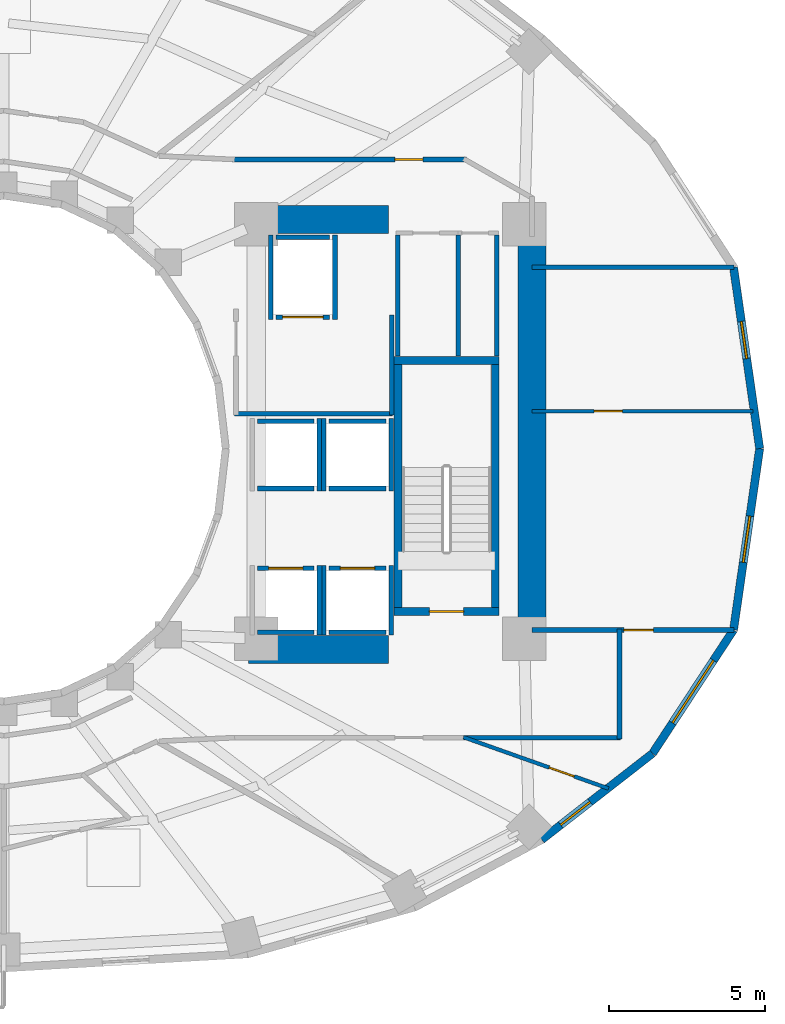
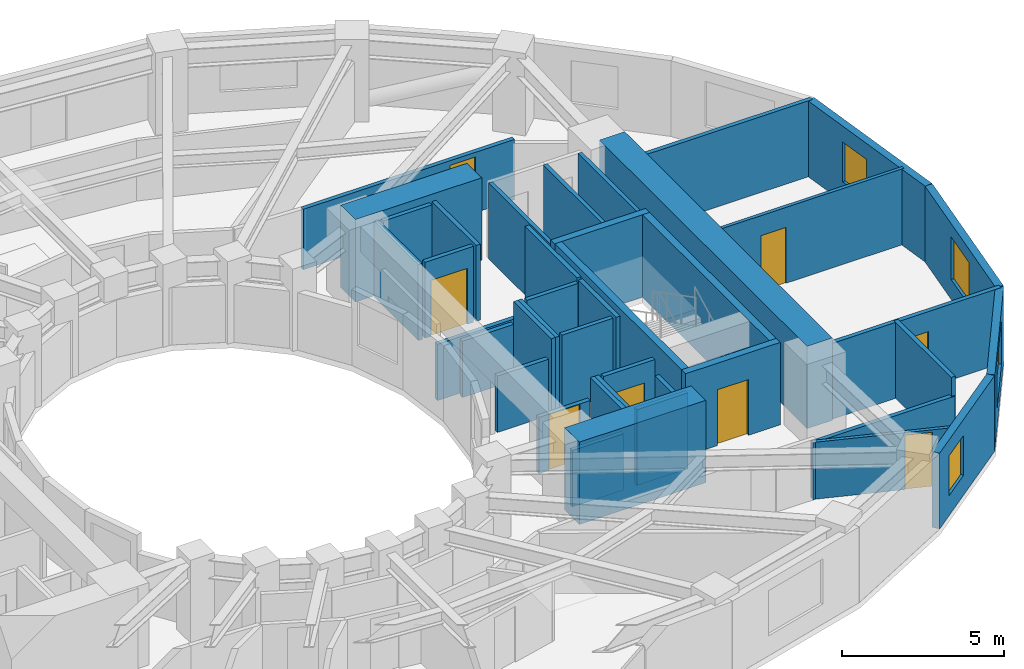
# One storey, part 6 of 9: 41 walls, 8 doors, 4 windows, 12 openings.
"""IFC4 building model written with IfcOpenShell, lengths in metres."""

from ifc_helpers import new_model, si_unit, direction, frame, frame_2d, origin, place, context, subcontext, project, spatial, rectangle, extrude, material, layer, layer_set, type_object, element, fill, save


model = new_model("IFC4")

# Units and contexts
model_context = context("Model", 3, precision=1e-05, world=origin(), true_north=direction((0.0, 1.0)))
body_context = subcontext(model_context, "Body", "Model", "MODEL_VIEW")
ifc_project = project(units=[si_unit("LENGTHUNIT", "METRE"), si_unit("AREAUNIT", "SQUARE_METRE"), si_unit("VOLUMEUNIT", "CUBIC_METRE"), si_unit("PLANEANGLEUNIT", "RADIAN"), si_unit("MASSUNIT", "GRAM", prefix="KILO")], contexts=[model_context])

# Site, building, storey
site_placement = place(None, origin())
site = spatial("IfcSite", under=ifc_project, at=site_placement, CompositionType="ELEMENT")
building_placement = place(site_placement, origin())
building = spatial("IfcBuilding", under=site, at=building_placement, Name="Solvane Sanctuary Tower", CompositionType="ELEMENT")
storey_placement = place(building_placement, frame((0.0, 0.0, 79.39990234375)))
storey = spatial("IfcBuildingStorey", under=building, at=storey_placement, Name="L23", CompositionType="ELEMENT", Elevation=79.39990234375)

# Walls
ifc_material_1 = material(Name="Concrete C70/85", Category="concrete")
ifc_layer_1 = layer(ifc_material_1, 0.89990234375, Name="Concrete C70/85")
ifc_layer_set_1 = layer_set([ifc_layer_1], Name="Concrete C70/85")
wall_type_1 = type_object("IfcWallType", Name="Wall W-CORE-900", PredefinedType="SHEAR", material=ifc_layer_set_1)
wall_1_placement = place(storey_placement, frame((48.949951171875, 17.050048828125, 0.0), z_axis=(0.0, 0.0, 1.0), x_axis=(0.0, 1.0, 0.0)))
element("IfcWall", 1, at=wall_1_placement, inside=storey, type_object=wall_type_1, Name="L23 Core Shear Wall EC-E", PredefinedType="SHEAR", context=body_context, shape_type="SweptSolid", body=[
    extrude(rectangle(XDim=12.800048828125, YDim=0.89990234375, at=frame_2d((6.39990234375, 0.0))), origin(), (0.0, 0.0, 1.0), 3.10009765625),
])
for number, where, z_axis, x_axis, name in (
    (2, (39.85009765625, 16.550048828125, 0.0), (0.0, 0.0, 1.0), (1.0, 0.0, 0.0), "L23 Core Shear Wall EC-S"),
    (3, (39.85009765625, 30.35009765625, 0.0), (0.0, 0.0, 1.0), (1.0, 0.0, 0.0), "L23 Core Shear Wall EC-N"),
):
    element("IfcWall", number, at=place(storey_placement, frame(where, z_axis=z_axis, x_axis=x_axis)), inside=storey, type_object=wall_type_1, Name=name, PredefinedType="SHEAR", context=body_context, shape_type="SweptSolid", body=[
        extrude(rectangle(XDim=4.5, YDim=0.89990234375, at=frame_2d((2.25, 0.0))), origin(), (0.0, 0.0, 1.0), 3.10009765625),
    ])
ifc_material_2 = material(Name="Acoustic Gypsum Partition Board")
ifc_layer_2 = layer(ifc_material_2, 0.14990234375, Name="Acoustic Gypsum Partition Board")
ifc_layer_set_2 = layer_set([ifc_layer_2], Name="Acoustic Gypsum Partition Board")
wall_type_2 = type_object("IfcWallType", Name="Wall W-CORR-150", PredefinedType="PARTITIONING", material=ifc_layer_set_2)
wall_2_placement = place(storey_placement, frame((39.39990234375, 24.1201171875, 0.0), z_axis=(0.0, 0.0, 1.0), x_axis=(1.0, 0.0, 0.0)))
element("IfcWall", 4, at=wall_2_placement, inside=storey, type_object=wall_type_2, Name="L23 East Firefighting Lobby South Wall", PredefinedType="PARTITIONING", context=body_context, shape_type="SweptSolid", body=[
    extrude(rectangle(XDim=5.080078125, YDim=0.14990234375, at=frame_2d((2.5400390625, 0.0))), origin(), (0.0, 0.0, 1.0), 2.1201171875),
])
wall_3_placement = place(storey_placement, frame((44.449951171875, 24.080078125, 0.0), z_axis=(0.0, 0.0, 1.0), x_axis=(0.0, 1.0, 0.0)))
element("IfcWall", 5, at=wall_3_placement, inside=storey, type_object=wall_type_2, Name="L23 East Firefighting Lobby East Wall", PredefinedType="PARTITIONING", context=body_context, shape_type="SweptSolid", body=[
    extrude(rectangle(XDim=3.199951171875, YDim=0.14990234375, at=frame_2d((1.60009765625, 0.0))), origin(), (0.0, 0.0, 1.0), 2.85498046875),
])

# Wall, opening, door
wall_4_placement = place(storey_placement, frame((48.949951171875, 17.1748046875, 0.0), z_axis=(0.0, 0.0, 1.0), x_axis=(1.0, 0.0, 0.0)))
wall_4 = element("IfcWall", 6, at=wall_4_placement, inside=storey, type_object=wall_type_2, Name="L23 East Shoulder South Wall", PredefinedType="PARTITIONING", context=body_context, shape_type="SweptSolid", body=[
    extrude(rectangle(XDim=6.49169921875, YDim=0.14990234375, at=frame_2d((3.245849609375, 0.0))), origin(), (0.0, 0.0, 1.0), 2.85498046875),
])
opening_1_placement = place(wall_4_placement, frame((2.947509765625, 0.0, 0.0)))
opening_1 = element("IfcOpeningElement", 7, at=opening_1_placement, cuts=wall_4, Name="Opening D-L23-12", PredefinedType="OPENING", context=body_context, shape_type="SweptSolid", body=[
    extrude(rectangle(XDim=0.949951171875, YDim=2.10009765625, at=frame_2d((0.47509765625, 1.050048828125))), frame((0.0, 0.0849609375, 0.0), z_axis=(0.0, -1.0, 0.0), x_axis=(1.0, 0.0, 0.0)), (0.0, 0.0, 1.0), 0.169921875),
])
ifc_material_3 = material(Name="Engineered Tropical Hardwood", Category="wood")
door_type_1 = type_object("IfcDoorType", Name="Door D-ROOM-950", OperationType="NOTDEFINED", PredefinedType="DOOR", material=ifc_material_3)
door_1_placement = place(opening_1_placement, origin())
door_1 = element("IfcDoor", 8, at=door_1_placement, inside=storey, type_object=door_type_1, Name="L23 East Shoulder South Door", OperationType="SINGLE_SWING_RIGHT", OverallHeight=2.10009765625, OverallWidth=0.949951171875, PredefinedType="DOOR", context=body_context, shape_type="SweptSolid", body=[
    extrude(rectangle(XDim=0.949951171875, YDim=2.10009765625, at=frame_2d((0.47509765625, 1.050048828125))), frame((0.0, 0.02490234375, 0.0), z_axis=(0.0, -1.0, 0.0), x_axis=(1.0, 0.0, 0.0)), (0.0, 0.0, 1.0), 0.050048828125),
])
fill(opening_1, door_1)

# Wall
wall_5_placement = place(storey_placement, frame((48.949951171875, 28.8251953125, 0.0), z_axis=(0.0, 0.0, 1.0), x_axis=(1.0, 0.0, 0.0)))
element("IfcWall", 9, at=wall_5_placement, inside=storey, type_object=wall_type_2, Name="L23 East Shoulder North Wall", PredefinedType="PARTITIONING", context=body_context, shape_type="SweptSolid", body=[
    extrude(rectangle(XDim=6.49169921875, YDim=0.14990234375, at=frame_2d((3.245849609375, 0.0))), origin(), (0.0, 0.0, 1.0), 2.85498046875),
])

# Wall, opening, door
wall_6_placement = place(storey_placement, frame((39.330078125, 32.280029296875, 0.0), z_axis=(0.0, 0.0, 1.0), x_axis=(1.0, 0.0, 0.0)))
wall_6 = element("IfcWall", 10, at=wall_6_placement, inside=storey, type_object=wall_type_2, Name="L23 NE Corner Corridor Wall", PredefinedType="PARTITIONING", context=body_context, shape_type="SweptSolid", body=[
    extrude(rectangle(XDim=7.52001953125, YDim=0.14990234375, at=frame_2d((3.760009765625, 0.0))), origin(), (0.0, 0.0, 1.0), 2.272216796875),
])
opening_2_placement = place(wall_6_placement, frame((5.219970703125, 0.0, 0.0)))
opening_2 = element("IfcOpeningElement", 11, at=opening_2_placement, cuts=wall_6, Name="Opening D-L23-15", PredefinedType="OPENING", context=body_context, shape_type="SweptSolid", body=[
    extrude(rectangle(XDim=0.89990234375, YDim=2.10009765625, at=frame_2d((0.449951171875, 1.050048828125))), frame((0.0, 0.0849609375, 0.0), z_axis=(0.0, -1.0, 0.0), x_axis=(1.0, 0.0, 0.0)), (0.0, 0.0, 1.0), 0.169921875),
])
door_type_2 = type_object("IfcDoorType", Name="Door D-WET-900", OperationType="NOTDEFINED", PredefinedType="DOOR", material=ifc_material_3)
door_2_placement = place(opening_2_placement, origin())
door_2 = element("IfcDoor", 12, at=door_2_placement, inside=storey, type_object=door_type_2, Name="L23 NE Corner Salon Door", OperationType="SINGLE_SWING_LEFT", OverallHeight=2.10009765625, OverallWidth=0.89990234375, PredefinedType="DOOR", context=body_context, shape_type="SweptSolid", body=[
    extrude(rectangle(XDim=0.89990234375, YDim=2.10009765625, at=frame_2d((0.449951171875, 1.050048828125))), frame((0.0, 0.02490234375, 0.0), z_axis=(0.0, -1.0, 0.0), x_axis=(1.0, 0.0, 0.0)), (0.0, 0.0, 1.0), 0.050048828125),
])
fill(opening_2, door_2)

# Walls
wall_7_placement = place(storey_placement, frame((51.760009765625, 13.679931640625, 0.0), z_axis=(0.0, 0.0, 1.0), x_axis=(0.0, 1.0, 0.0)))
element("IfcWall", 13, at=wall_7_placement, inside=storey, type_object=wall_type_2, Name="L23 SE Corner Closer 1", PredefinedType="PARTITIONING", context=body_context, shape_type="SweptSolid", body=[
    extrude(rectangle(XDim=3.534912109375, YDim=0.14990234375, at=frame_2d((1.767578125, 0.0))), origin(), (0.0, 0.0, 1.0), 2.85498046875),
])
wall_8_placement = place(storey_placement, frame((46.75, 13.719970703125, 0.0), z_axis=(0.0, 0.0, 1.0), x_axis=(1.0, 0.0, 0.0)))
element("IfcWall", 14, at=wall_8_placement, inside=storey, type_object=wall_type_2, Name="L23 SE Corner Wing Wall", PredefinedType="PARTITIONING", context=body_context, shape_type="SweptSolid", body=[
    extrude(rectangle(XDim=5.050048828125, YDim=0.14990234375, at=frame_2d((2.52490234375, 0.0))), origin(), (0.0, 0.0, 1.0), 2.14208984375),
])

# Wall, opening, window
ifc_material_4 = material(Name="Precast concrete C40/50", Category="concrete")
ifc_layer_3 = layer(ifc_material_4, 0.260009765625, Name="Precast concrete C40/50")
ifc_layer_set_3 = layer_set([ifc_layer_3], Name="Precast concrete C40/50")
wall_type_3 = type_object("IfcWallType", Name="Wall W-EXT-250", PredefinedType="STANDARD", material=ifc_layer_set_3)
wall_9_placement = place(storey_placement, frame((56.260009765625, 23.0, 0.0), z_axis=(0.0, 0.0, 1.0), x_axis=(-0.142572472068, 0.98978436551, 0.0)))
wall_9 = element("IfcWall", 15, at=wall_9_placement, inside=storey, type_object=wall_type_3, Name="L23 Ceramic-Printed Facade Wall 00", PredefinedType="STANDARD", context=body_context, shape_type="SweptSolid", body=[
    extrude(rectangle(XDim=5.878662109375, YDim=0.260009765625, at=frame_2d((2.939453125, 0.0))), origin(), (0.0, 0.0, 1.0), 2.85009765625),
])
opening_3_placement = place(wall_9_placement, frame((2.920654296875, 0.0, 0.75)))
opening_3 = element("IfcOpeningElement", 16, at=opening_3_placement, cuts=wall_9, Name="Opening WN-OPER-1200", PredefinedType="OPENING", context=body_context, shape_type="SweptSolid", body=[
    extrude(rectangle(XDim=1.199951171875, YDim=1.5, at=frame_2d((0.60009765625, 0.75))), frame((0.0, 0.139892578125, 0.0), z_axis=(0.0, -1.0, 0.0), x_axis=(1.0, 0.0, 0.0)), (0.0, 0.0, 1.0), 0.280029296875),
])
ifc_material_5 = material(Name="Dark Ceramic-Fritted Low-E Glass", Category="glass")
window_type_1 = type_object("IfcWindowType", Name="Window WN-OPER-1200", PartitioningType="SINGLE_PANEL", PredefinedType="WINDOW", material=ifc_material_5)
window_1_placement = place(opening_3_placement, origin())
window_1 = element("IfcWindow", 17, at=window_1_placement, inside=storey, type_object=window_type_1, Name="L23 Operable Facade Window 00", OverallHeight=1.5, OverallWidth=1.199951171875, PartitioningType="SINGLE_PANEL", PredefinedType="WINDOW", context=body_context, shape_type="SweptSolid", body=[
    extrude(rectangle(XDim=1.199951171875, YDim=1.5, at=frame_2d((0.60009765625, 0.75))), frame((0.0, 0.030029296875, 0.0), z_axis=(0.0, -1.0, 0.0), x_axis=(1.0, 0.0, 0.0)), (0.0, 0.0, 1.0), 0.06005859375),
])
fill(opening_3, window_1)

wall_10_placement = place(storey_placement, frame((49.265869140625, 10.44677734375, 0.0), z_axis=(0.0, 0.0, 1.0), x_axis=(0.789127449954, 0.614229491094, 0.0)))
wall_10 = element("IfcWall", 18, at=wall_10_placement, inside=storey, type_object=wall_type_3, Name="L23 Ceramic-Printed Facade Wall 21", PredefinedType="STANDARD", context=body_context, shape_type="SweptSolid", body=[
    extrude(rectangle(XDim=4.504638671875, YDim=0.260009765625, at=frame_2d((2.25244140625, 0.0))), origin(), (0.0, 0.0, 1.0), 2.85009765625),
])
opening_4_placement = place(wall_10_placement, frame((0.767822265625, 0.0, 0.75)))
opening_4 = element("IfcOpeningElement", 19, at=opening_4_placement, cuts=wall_10, Name="Opening WN-OPER-1200", PredefinedType="OPENING", context=body_context, shape_type="SweptSolid", body=[
    extrude(rectangle(XDim=1.199951171875, YDim=1.5, at=frame_2d((0.60009765625, 0.75))), frame((0.0, 0.139892578125, 0.0), z_axis=(0.0, -1.0, 0.0), x_axis=(1.0, 0.0, 0.0)), (0.0, 0.0, 1.0), 0.280029296875),
])
window_2_placement = place(opening_4_placement, origin())
window_2 = element("IfcWindow", 20, at=window_2_placement, inside=storey, type_object=window_type_1, Name="L23 Operable Facade Window 21", OverallHeight=1.5, OverallWidth=1.199951171875, PartitioningType="SINGLE_PANEL", PredefinedType="WINDOW", context=body_context, shape_type="SweptSolid", body=[
    extrude(rectangle(XDim=1.199951171875, YDim=1.5, at=frame_2d((0.60009765625, 0.75))), frame((0.0, 0.030029296875, 0.0), z_axis=(0.0, -1.0, 0.0), x_axis=(1.0, 0.0, 0.0)), (0.0, 0.0, 1.0), 0.06005859375),
])
fill(opening_4, window_2)

wall_11_placement = place(storey_placement, frame((52.820556640625, 13.213623046875, 0.0), z_axis=(0.0, 0.0, 1.0), x_axis=(0.548283220945, 0.836292717672, 0.0)))
wall_11 = element("IfcWall", 21, at=wall_11_placement, inside=storey, type_object=wall_type_3, Name="L23 Ceramic-Printed Facade Wall 22", PredefinedType="STANDARD", context=body_context, shape_type="SweptSolid", body=[
    extrude(rectangle(XDim=4.744384765625, YDim=0.260009765625, at=frame_2d((2.3720703125, 0.0))), origin(), (0.0, 0.0, 1.0), 2.85009765625),
])
opening_5_placement = place(wall_11_placement, frame((1.172119140625, 0.0, 0.75)))
opening_5 = element("IfcOpeningElement", 22, at=opening_5_placement, cuts=wall_11, Name="Opening WN-RIB-2400", PredefinedType="OPENING", context=body_context, shape_type="SweptSolid", body=[
    extrude(rectangle(XDim=2.39990234375, YDim=1.699951171875, at=frame_2d((1.199951171875, 0.85009765625))), frame((0.0, 0.139892578125, 0.0), z_axis=(0.0, -1.0, 0.0), x_axis=(1.0, 0.0, 0.0)), (0.0, 0.0, 1.0), 0.280029296875),
])
window_type_2 = type_object("IfcWindowType", Name="Window WN-RIB-2400", PartitioningType="SINGLE_PANEL", PredefinedType="WINDOW", material=ifc_material_5)
window_3_placement = place(opening_5_placement, origin())
window_3 = element("IfcWindow", 23, at=window_3_placement, inside=storey, type_object=window_type_2, Name="L23 Operable Facade Window 22", OverallHeight=1.699951171875, OverallWidth=2.39990234375, PartitioningType="SINGLE_PANEL", PredefinedType="WINDOW", context=body_context, shape_type="SweptSolid", body=[
    extrude(rectangle(XDim=2.39990234375, YDim=1.699951171875, at=frame_2d((1.199951171875, 0.85009765625))), frame((0.0, 0.030029296875, 0.0), z_axis=(0.0, -1.0, 0.0), x_axis=(1.0, 0.0, 0.0)), (0.0, 0.0, 1.0), 0.06005859375),
])
fill(opening_5, window_3)

wall_12_placement = place(storey_placement, frame((55.421875, 17.181396484375, 0.0), z_axis=(0.0, 0.0, 1.0), x_axis=(0.142572472068, 0.98978436551, 0.0)))
wall_12 = element("IfcWall", 24, at=wall_12_placement, inside=storey, type_object=wall_type_3, Name="L23 Ceramic-Printed Facade Wall 23", PredefinedType="STANDARD", context=body_context, shape_type="SweptSolid", body=[
    extrude(rectangle(XDim=5.878662109375, YDim=0.260009765625, at=frame_2d((2.939453125, 0.0))), origin(), (0.0, 0.0, 1.0), 2.85009765625),
])
opening_6_placement = place(wall_12_placement, frame((2.189453125, 0.0, 0.75)))
opening_6 = element("IfcOpeningElement", 25, at=opening_6_placement, cuts=wall_12, Name="Opening WN-OPER-1500", PredefinedType="OPENING", context=body_context, shape_type="SweptSolid", body=[
    extrude(rectangle(XDim=1.5, YDim=1.60009765625, at=frame_2d((0.75, 0.800048828125))), frame((0.0, 0.139892578125, 0.0), z_axis=(0.0, -1.0, 0.0), x_axis=(1.0, 0.0, 0.0)), (0.0, 0.0, 1.0), 0.280029296875),
])
window_type_3 = type_object("IfcWindowType", Name="Window WN-OPER-1500", PartitioningType="SINGLE_PANEL", PredefinedType="WINDOW", material=ifc_material_5)
window_4_placement = place(opening_6_placement, origin())
window_4 = element("IfcWindow", 26, at=window_4_placement, inside=storey, type_object=window_type_3, Name="L23 Operable Facade Window 23", OverallHeight=1.60009765625, OverallWidth=1.5, PartitioningType="SINGLE_PANEL", PredefinedType="WINDOW", context=body_context, shape_type="SweptSolid", body=[
    extrude(rectangle(XDim=1.5, YDim=1.60009765625, at=frame_2d((0.75, 0.800048828125))), frame((0.0, 0.030029296875, 0.0), z_axis=(0.0, -1.0, 0.0), x_axis=(1.0, 0.0, 0.0)), (0.0, 0.0, 1.0), 0.06005859375),
])
fill(opening_6, window_4)

# Wall, opening, door
ifc_layer_4 = layer(ifc_material_2, 0.1201171875, Name="Acoustic Gypsum Partition Board")
ifc_layer_set_4 = layer_set([ifc_layer_4], Name="Acoustic Gypsum Partition Board")
wall_type_4 = type_object("IfcWallType", Name="Wall W-MOV-100", PredefinedType="MOVABLE", material=ifc_layer_set_4)
wall_13_placement = place(storey_placement, frame((48.949951171875, 24.199951171875, 0.0), z_axis=(0.0, 0.0, 1.0), x_axis=(1.0, 0.0, 0.0)))
wall_13 = element("IfcWall", 27, at=wall_13_placement, inside=storey, type_object=wall_type_4, Name="L23 East Suite Partition", PredefinedType="MOVABLE", context=body_context, shape_type="SweptSolid", body=[
    extrude(rectangle(XDim=7.097412109375, YDim=0.1201171875, at=frame_2d((3.548828125, 0.0))), origin(), (0.0, 0.0, 1.0), 2.85498046875),
])
opening_7_placement = place(wall_13_placement, frame((2.0, 0.0, 0.0)))
opening_7 = element("IfcOpeningElement", 28, at=opening_7_placement, cuts=wall_13, Name="Opening D-L23-13", PredefinedType="OPENING", context=body_context, shape_type="SweptSolid", body=[
    extrude(rectangle(XDim=0.89990234375, YDim=2.10009765625, at=frame_2d((0.449951171875, 1.050048828125))), frame((0.0, 0.070068359375, 0.0), z_axis=(0.0, -1.0, 0.0), x_axis=(1.0, 0.0, 0.0)), (0.0, 0.0, 1.0), 0.14013671875),
])
door_3_placement = place(opening_7_placement, origin())
door_3 = element("IfcDoor", 29, at=door_3_placement, inside=storey, type_object=door_type_2, Name="L23 East Suite Internal Door", OperationType="SINGLE_SWING_LEFT", OverallHeight=2.10009765625, OverallWidth=0.89990234375, PredefinedType="DOOR", context=body_context, shape_type="SweptSolid", body=[
    extrude(rectangle(XDim=0.89990234375, YDim=2.10009765625, at=frame_2d((0.449951171875, 1.050048828125))), frame((0.0, 0.02490234375, 0.0), z_axis=(0.0, -1.0, 0.0), x_axis=(1.0, 0.0, 0.0)), (0.0, 0.0, 1.0), 0.050048828125),
])
fill(opening_7, door_3)

wall_14_placement = place(storey_placement, frame((46.7529296875, 13.73681640625, 0.0), z_axis=(0.0, 0.0, 1.0), x_axis=(0.942633057048, -0.333830675284, 0.0)))
wall_14 = element("IfcWall", 30, at=wall_14_placement, inside=storey, type_object=wall_type_4, Name="L23 SE Corner Suite Partition", PredefinedType="MOVABLE", context=body_context, shape_type="SweptSolid", body=[
    extrude(rectangle(XDim=4.940185546875, YDim=0.1201171875, at=frame_2d((2.47021484375, 0.0))), origin(), (0.0, 0.0, 1.0), 2.14208984375),
])
opening_8_placement = place(wall_14_placement, frame((2.920166015625, 0.0, 0.0)))
opening_8 = element("IfcOpeningElement", 31, at=opening_8_placement, cuts=wall_14, Name="Opening D-L23-18", PredefinedType="OPENING", context=body_context, shape_type="SweptSolid", body=[
    extrude(rectangle(XDim=0.85009765625, YDim=2.050048828125, at=frame_2d((0.425048828125, 1.02490234375))), frame((0.0, 0.070068359375, 0.0), z_axis=(0.0, -1.0, 0.0), x_axis=(1.0, 0.0, 0.0)), (0.0, 0.0, 1.0), 0.14013671875),
])
ifc_material_6 = material(Name="Architectural Stainless Steel 316", Category="steel")
door_type_3 = type_object("IfcDoorType", Name="Door D-RISER", OperationType="NOTDEFINED", PredefinedType="DOOR", material=ifc_material_6)
door_4_placement = place(opening_8_placement, origin())
door_4 = element("IfcDoor", 32, at=door_4_placement, inside=storey, type_object=door_type_3, Name="L23 SE Corner Suite Door", OperationType="SINGLE_SWING_RIGHT", OverallHeight=2.050048828125, OverallWidth=0.85009765625, PredefinedType="DOOR", context=body_context, shape_type="SweptSolid", body=[
    extrude(rectangle(XDim=0.85009765625, YDim=2.050048828125, at=frame_2d((0.425048828125, 1.02490234375))), frame((0.0, 0.02490234375, 0.0), z_axis=(0.0, -1.0, 0.0), x_axis=(1.0, 0.0, 0.0)), (0.0, 0.0, 1.0), 0.050048828125),
])
fill(opening_8, door_4)

ifc_material_7 = material(Name="Concrete C50/60", Category="concrete")
ifc_layer_5 = layer(ifc_material_7, 0.14990234375, Name="Concrete C50/60")
ifc_layer_set_5 = layer_set([ifc_layer_5], Name="Concrete C50/60")
wall_type_5 = type_object("IfcWallType", Name="Wall W-SHAFT-150", PredefinedType="SOLIDWALL", material=ifc_layer_set_5)
wall_15_placement = place(storey_placement, frame((40.139892578125, 19.159912109375, 0.0), z_axis=(0.0, 0.0, 1.0), x_axis=(1.0, 0.0, 0.0)))
wall_15 = element("IfcWall", 33, at=wall_15_placement, inside=storey, type_object=wall_type_5, Name="L23 PL-3 Lift Shaft Wall F", PredefinedType="SOLIDWALL", context=body_context, shape_type="SweptSolid", body=[
    extrude(rectangle(XDim=1.820068359375, YDim=0.14990234375, at=frame_2d((0.91015625, 0.0))), origin(), (0.0, 0.0, 1.0), 2.1201171875),
])
opening_9_placement = place(wall_15_placement, frame((0.360107421875, 0.0, 0.0)))
opening_9 = element("IfcOpeningElement", 34, at=opening_9_placement, cuts=wall_15, Name="Opening LD-L23-03", PredefinedType="OPENING", context=body_context, shape_type="SweptSolid", body=[
    extrude(rectangle(XDim=1.10009765625, YDim=2.10009765625, at=frame_2d((0.550048828125, 1.050048828125))), frame((0.0, 0.0849609375, 0.0), z_axis=(0.0, -1.0, 0.0), x_axis=(1.0, 0.0, 0.0)), (0.0, 0.0, 1.0), 0.169921875),
])
door_type_4 = type_object("IfcDoorType", Name="Door LD-PASS-1100", OperationType="NOTDEFINED", PredefinedType="DOOR", material=ifc_material_6)
door_5_placement = place(opening_9_placement, origin())
door_5 = element("IfcDoor", 35, at=door_5_placement, inside=storey, type_object=door_type_4, Name="L23 PL-3 Lift Landing Door", OperationType="DOUBLE_DOOR_SLIDING", OverallHeight=2.10009765625, OverallWidth=1.10009765625, PredefinedType="DOOR", context=body_context, shape_type="SweptSolid", body=[
    extrude(rectangle(XDim=1.10009765625, YDim=2.10009765625, at=frame_2d((0.550048828125, 1.050048828125))), frame((0.0, 0.02490234375, 0.0), z_axis=(0.0, -1.0, 0.0), x_axis=(1.0, 0.0, 0.0)), (0.0, 0.0, 1.0), 0.050048828125),
])
fill(opening_9, door_5)

# Walls
wall_16_placement = place(storey_placement, frame((40.139892578125, 17.10009765625, 0.0), z_axis=(0.0, 0.0, 1.0), x_axis=(1.0, 0.0, 0.0)))
element("IfcWall", 36, at=wall_16_placement, inside=storey, type_object=wall_type_5, Name="L23 PL-3 Lift Shaft Wall B", PredefinedType="SOLIDWALL", context=body_context, shape_type="SweptSolid", body=[
    extrude(rectangle(XDim=1.820068359375, YDim=0.14990234375, at=frame_2d((0.91015625, 0.0))), origin(), (0.0, 0.0, 1.0), 2.1201171875),
])
wall_17_placement = place(storey_placement, frame((42.1298828125, 17.02001953125, 0.0), z_axis=(0.0, 0.0, 1.0), x_axis=(0.0, 1.0, 0.0)))
element("IfcWall", 37, at=wall_17_placement, inside=storey, type_object=wall_type_5, Name="L23 PL-3 Lift Shaft Wall S2", PredefinedType="SOLIDWALL", context=body_context, shape_type="SweptSolid", body=[
    extrude(rectangle(XDim=2.219970703125, YDim=0.14990234375, at=frame_2d((1.10986328125, 0.0))), origin(), (0.0, 0.0, 1.0), 2.85498046875),
])

# Wall, opening, door
wall_18_placement = place(storey_placement, frame((42.43994140625, 19.159912109375, 0.0), z_axis=(0.0, 0.0, 1.0), x_axis=(1.0, 0.0, 0.0)))
wall_18 = element("IfcWall", 38, at=wall_18_placement, inside=storey, type_object=wall_type_5, Name="L23 PL-4 Lift Shaft Wall F", PredefinedType="SOLIDWALL", context=body_context, shape_type="SweptSolid", body=[
    extrude(rectangle(XDim=1.820068359375, YDim=0.14990234375, at=frame_2d((0.91015625, 0.0))), origin(), (0.0, 0.0, 1.0), 2.85498046875),
])
opening_10_placement = place(wall_18_placement, frame((0.360107421875, 0.0, 0.0)))
opening_10 = element("IfcOpeningElement", 39, at=opening_10_placement, cuts=wall_18, Name="Opening LD-L23-04", PredefinedType="OPENING", context=body_context, shape_type="SweptSolid", body=[
    extrude(rectangle(XDim=1.10009765625, YDim=2.10009765625, at=frame_2d((0.550048828125, 1.050048828125))), frame((0.0, 0.0849609375, 0.0), z_axis=(0.0, -1.0, 0.0), x_axis=(1.0, 0.0, 0.0)), (0.0, 0.0, 1.0), 0.169921875),
])
door_6_placement = place(opening_10_placement, origin())
door_6 = element("IfcDoor", 40, at=door_6_placement, inside=storey, type_object=door_type_4, Name="L23 PL-4 Lift Landing Door", OperationType="DOUBLE_DOOR_SLIDING", OverallHeight=2.10009765625, OverallWidth=1.10009765625, PredefinedType="DOOR", context=body_context, shape_type="SweptSolid", body=[
    extrude(rectangle(XDim=1.10009765625, YDim=2.10009765625, at=frame_2d((0.550048828125, 1.050048828125))), frame((0.0, 0.02490234375, 0.0), z_axis=(0.0, -1.0, 0.0), x_axis=(1.0, 0.0, 0.0)), (0.0, 0.0, 1.0), 0.050048828125),
])
fill(opening_10, door_6)

# Walls
wall_19_placement = place(storey_placement, frame((42.43994140625, 17.10009765625, 0.0), z_axis=(0.0, 0.0, 1.0), x_axis=(1.0, 0.0, 0.0)))
element("IfcWall", 41, at=wall_19_placement, inside=storey, type_object=wall_type_5, Name="L23 PL-4 Lift Shaft Wall B", PredefinedType="SOLIDWALL", context=body_context, shape_type="SweptSolid", body=[
    extrude(rectangle(XDim=1.820068359375, YDim=0.14990234375, at=frame_2d((0.91015625, 0.0))), origin(), (0.0, 0.0, 1.0), 2.85498046875),
])
wall_20_placement = place(storey_placement, frame((42.27001953125, 17.02001953125, 0.0), z_axis=(0.0, 0.0, 1.0), x_axis=(0.0, 1.0, 0.0)))
element("IfcWall", 42, at=wall_20_placement, inside=storey, type_object=wall_type_5, Name="L23 PL-4 Lift Shaft Wall S1", PredefinedType="SOLIDWALL", context=body_context, shape_type="SweptSolid", body=[
    extrude(rectangle(XDim=2.219970703125, YDim=0.14990234375, at=frame_2d((1.10986328125, 0.0))), origin(), (0.0, 0.0, 1.0), 2.85498046875),
])
wall_21_placement = place(storey_placement, frame((44.429931640625, 17.02001953125, 0.0), z_axis=(0.0, 0.0, 1.0), x_axis=(0.0, 1.0, 0.0)))
element("IfcWall", 43, at=wall_21_placement, inside=storey, type_object=wall_type_5, Name="L23 PL-4 Lift Shaft Wall S2", PredefinedType="SOLIDWALL", context=body_context, shape_type="SweptSolid", body=[
    extrude(rectangle(XDim=2.219970703125, YDim=0.14990234375, at=frame_2d((1.10986328125, 0.0))), origin(), (0.0, 0.0, 1.0), 2.1201171875),
])
for number, where, z_axis, x_axis, name in (
    (44, (42.43994140625, 21.719970703125, 0.0), (0.0, 0.0, 1.0), (1.0, 0.0, 0.0), "L23 PM-2 Lift Shaft Wall F"),
    (45, (42.43994140625, 23.8798828125, 0.0), (0.0, 0.0, 1.0), (1.0, 0.0, 0.0), "L23 PM-2 Lift Shaft Wall B"),
):
    element("IfcWall", number, at=place(storey_placement, frame(where, z_axis=z_axis, x_axis=x_axis)), inside=storey, type_object=wall_type_5, Name=name, PredefinedType="SOLIDWALL", context=body_context, shape_type="SweptSolid", body=[
        extrude(rectangle(XDim=1.820068359375, YDim=0.14990234375, at=frame_2d((0.91015625, 0.0))), origin(), (0.0, 0.0, 1.0), 2.85498046875),
    ])
for number, where, z_axis, x_axis, name in (
    (46, (42.27001953125, 21.639892578125, 0.0), (0.0, 0.0, 1.0), (0.0, 1.0, 0.0), "L23 PM-2 Lift Shaft Wall S1"),
    (47, (44.429931640625, 21.639892578125, 0.0), (0.0, 0.0, 1.0), (0.0, 1.0, 0.0), "L23 PM-2 Lift Shaft Wall S2"),
):
    element("IfcWall", number, at=place(storey_placement, frame(where, z_axis=z_axis, x_axis=x_axis)), inside=storey, type_object=wall_type_5, Name=name, PredefinedType="SOLIDWALL", context=body_context, shape_type="SweptSolid", body=[
        extrude(rectangle(XDim=2.320068359375, YDim=0.14990234375, at=frame_2d((1.16015625, 0.0))), origin(), (0.0, 0.0, 1.0), 2.85498046875),
    ])
for number, where, z_axis, x_axis, name in (
    (48, (40.139892578125, 21.719970703125, 0.0), (0.0, 0.0, 1.0), (1.0, 0.0, 0.0), "L23 PH-2 Lift Shaft Wall F"),
    (49, (40.139892578125, 23.8798828125, 0.0), (0.0, 0.0, 1.0), (1.0, 0.0, 0.0), "L23 PH-2 Lift Shaft Wall B"),
):
    element("IfcWall", number, at=place(storey_placement, frame(where, z_axis=z_axis, x_axis=x_axis)), inside=storey, type_object=wall_type_5, Name=name, PredefinedType="SOLIDWALL", context=body_context, shape_type="SweptSolid", body=[
        extrude(rectangle(XDim=1.820068359375, YDim=0.14990234375, at=frame_2d((0.91015625, 0.0))), origin(), (0.0, 0.0, 1.0), 2.1201171875),
    ])
wall_22_placement = place(storey_placement, frame((42.1298828125, 21.639892578125, 0.0), z_axis=(0.0, 0.0, 1.0), x_axis=(0.0, 1.0, 0.0)))
element("IfcWall", 50, at=wall_22_placement, inside=storey, type_object=wall_type_5, Name="L23 PH-2 Lift Shaft Wall S2", PredefinedType="SOLIDWALL", context=body_context, shape_type="SweptSolid", body=[
    extrude(rectangle(XDim=2.320068359375, YDim=0.14990234375, at=frame_2d((1.16015625, 0.0))), origin(), (0.0, 0.0, 1.0), 2.85498046875),
])

# Wall, opening, door
wall_23_placement = place(storey_placement, frame((40.739990234375, 27.219970703125, 0.0), z_axis=(0.0, 0.0, 1.0), x_axis=(1.0, 0.0, 0.0)))
wall_23 = element("IfcWall", 51, at=wall_23_placement, inside=storey, type_object=wall_type_5, Name="L23 FFL-2 Lift Shaft Wall F", PredefinedType="SOLIDWALL", context=body_context, shape_type="SweptSolid", body=[
    extrude(rectangle(XDim=1.719970703125, YDim=0.14990234375, at=frame_2d((0.85986328125, 0.0))), origin(), (0.0, 0.0, 1.0), 2.85498046875),
])
opening_11_placement = place(wall_23_placement, frame((0.2099609375, 0.0, 0.0)))
opening_11 = element("IfcOpeningElement", 52, at=opening_11_placement, cuts=wall_23, Name="Opening LD-L23-07", PredefinedType="OPENING", context=body_context, shape_type="SweptSolid", body=[
    extrude(rectangle(XDim=1.300048828125, YDim=2.10009765625, at=frame_2d((0.64990234375, 1.050048828125))), frame((0.0, 0.0849609375, 0.0), z_axis=(0.0, -1.0, 0.0), x_axis=(1.0, 0.0, 0.0)), (0.0, 0.0, 1.0), 0.169921875),
])
door_type_5 = type_object("IfcDoorType", Name="Door LD-FFL-1300", OperationType="NOTDEFINED", PredefinedType="DOOR", material=ifc_material_6)
door_7_placement = place(opening_11_placement, origin())
door_7 = element("IfcDoor", 53, at=door_7_placement, inside=storey, type_object=door_type_5, Name="L23 FFL-2 Lift Landing Door", OperationType="DOUBLE_DOOR_SLIDING", OverallHeight=2.10009765625, OverallWidth=1.300048828125, PredefinedType="DOOR", context=body_context, shape_type="SweptSolid", body=[
    extrude(rectangle(XDim=1.300048828125, YDim=2.10009765625, at=frame_2d((0.64990234375, 1.050048828125))), frame((0.0, 0.02490234375, 0.0), z_axis=(0.0, -1.0, 0.0), x_axis=(1.0, 0.0, 0.0)), (0.0, 0.0, 1.0), 0.050048828125),
])
fill(opening_11, door_7)

# Walls
wall_24_placement = place(storey_placement, frame((40.739990234375, 29.780029296875, 0.0), z_axis=(0.0, 0.0, 1.0), x_axis=(1.0, 0.0, 0.0)))
element("IfcWall", 54, at=wall_24_placement, inside=storey, type_object=wall_type_5, Name="L23 FFL-2 Lift Shaft Wall B", PredefinedType="SOLIDWALL", context=body_context, shape_type="SweptSolid", body=[
    extrude(rectangle(XDim=1.719970703125, YDim=0.14990234375, at=frame_2d((0.85986328125, 0.0))), origin(), (0.0, 0.0, 1.0), 2.85498046875),
])
for number, where, z_axis, x_axis, name in (
    (55, (40.570068359375, 27.139892578125, 0.0), (0.0, 0.0, 1.0), (0.0, 1.0, 0.0), "L23 FFL-2 Lift Shaft Wall S1"),
    (56, (42.6298828125, 27.139892578125, 0.0), (0.0, 0.0, 1.0), (0.0, 1.0, 0.0), "L23 FFL-2 Lift Shaft Wall S2"),
):
    element("IfcWall", number, at=place(storey_placement, frame(where, z_axis=z_axis, x_axis=x_axis)), inside=storey, type_object=wall_type_5, Name=name, PredefinedType="SOLIDWALL", context=body_context, shape_type="SweptSolid", body=[
        extrude(rectangle(XDim=2.72021484375, YDim=0.14990234375, at=frame_2d((1.360107421875, 0.0))), origin(), (0.0, 0.0, 1.0), 2.85498046875),
    ])

# Wall, opening, door
ifc_layer_6 = layer(ifc_material_7, 0.25, Name="Concrete C50/60")
ifc_layer_set_6 = layer_set([ifc_layer_6], Name="Concrete C50/60")
wall_type_6 = type_object("IfcWallType", Name="Wall W-SHAFT-250", PredefinedType="SOLIDWALL", material=ifc_layer_set_6)
wall_25_placement = place(storey_placement, frame((44.52490234375, 17.77001953125, 0.0), z_axis=(0.0, 0.0, 1.0), x_axis=(1.0, 0.0, 0.0)))
wall_25 = element("IfcWall", 57, at=wall_25_placement, inside=storey, type_object=wall_type_6, Name="L23 ST-2 Load-Bearing Shaft Wall S", PredefinedType="SOLIDWALL", context=body_context, shape_type="SweptSolid", body=[
    extrude(rectangle(XDim=3.3701171875, YDim=0.25, at=frame_2d((1.68505859375, 0.0))), origin(), (0.0, 0.0, 1.0), 3.10009765625),
])
opening_12_placement = place(wall_25_placement, frame((1.135009765625, 0.0, 0.0)))
opening_12 = element("IfcOpeningElement", 58, at=opening_12_placement, cuts=wall_25, Name="Opening D-L23-04", PredefinedType="OPENING", context=body_context, shape_type="SweptSolid", body=[
    extrude(rectangle(XDim=1.10009765625, YDim=2.10009765625, at=frame_2d((0.550048828125, 1.050048828125))), frame((0.0, 0.135009765625, 0.0), z_axis=(0.0, -1.0, 0.0), x_axis=(1.0, 0.0, 0.0)), (0.0, 0.0, 1.0), 0.27001953125),
])
door_type_6 = type_object("IfcDoorType", Name="Door D-STAIR", OperationType="NOTDEFINED", PredefinedType="DOOR", material=ifc_material_6)
door_8_placement = place(opening_12_placement, origin())
door_8 = element("IfcDoor", 59, at=door_8_placement, inside=storey, type_object=door_type_6, Name="L23 ST-2 Exit Stair Fire Door", OperationType="SINGLE_SWING_RIGHT", OverallHeight=2.10009765625, OverallWidth=1.10009765625, PredefinedType="DOOR", context=body_context, shape_type="SweptSolid", body=[
    extrude(rectangle(XDim=1.10009765625, YDim=2.10009765625, at=frame_2d((0.550048828125, 1.050048828125))), frame((0.0, 0.02490234375, 0.0), z_axis=(0.0, -1.0, 0.0), x_axis=(1.0, 0.0, 0.0)), (0.0, 0.0, 1.0), 0.050048828125),
])
fill(opening_12, door_8)

# Walls
wall_26_placement = place(storey_placement, frame((44.52490234375, 25.830078125, 0.0), z_axis=(0.0, 0.0, 1.0), x_axis=(1.0, 0.0, 0.0)))
element("IfcWall", 60, at=wall_26_placement, inside=storey, type_object=wall_type_6, Name="L23 ST-2 Load-Bearing Shaft Wall N", PredefinedType="SOLIDWALL", context=body_context, shape_type="SweptSolid", body=[
    extrude(rectangle(XDim=3.3701171875, YDim=0.25, at=frame_2d((1.68505859375, 0.0))), origin(), (0.0, 0.0, 1.0), 3.10009765625),
])
for number, where, z_axis, x_axis, name in (
    (61, (44.64990234375, 17.89501953125, 0.0), (0.0, 0.0, 1.0), (0.0, 1.0, 0.0), "L23 ST-2 Load-Bearing Shaft Wall W"),
    (62, (47.77001953125, 17.89501953125, 0.0), (0.0, 0.0, 1.0), (0.0, 1.0, 0.0), "L23 ST-2 Load-Bearing Shaft Wall E"),
):
    element("IfcWall", number, at=place(storey_placement, frame(where, z_axis=z_axis, x_axis=x_axis)), inside=storey, type_object=wall_type_6, Name=name, PredefinedType="SOLIDWALL", context=body_context, shape_type="SweptSolid", body=[
        extrude(rectangle(XDim=7.81005859375, YDim=0.25, at=frame_2d((3.905029296875, 0.0))), origin(), (0.0, 0.0, 1.0), 3.10009765625),
    ])
ifc_layer_7 = layer(ifc_material_2, 0.139892578125, Name="Acoustic Gypsum Partition Board")
ifc_layer_set_7 = layer_set([ifc_layer_7], Name="Acoustic Gypsum Partition Board")
wall_type_7 = type_object("IfcWallType", Name="Wall W-WET-140", PredefinedType="PLUMBINGWALL", material=ifc_layer_set_7)
for number, where, z_axis, x_axis, name in (
    (63, (44.639892578125, 25.97998046875, 0.0), (0.0, 0.0, 1.0), (0.0, 1.0, 0.0), "L23 Core Service Side Wall KE1-1"),
    (64, (46.580078125, 25.97998046875, 0.0), (0.0, 0.0, 1.0), (0.0, 1.0, 0.0), "L23 Core Service Side Wall KE1-2"),
    (65, (47.820068359375, 25.97998046875, 0.0), (0.0, 0.0, 1.0), (0.0, 1.0, 0.0), "L23 Core Service Side Wall KE2-1"),
):
    element("IfcWall", number, at=place(storey_placement, frame(where, z_axis=z_axis, x_axis=x_axis)), inside=storey, type_object=wall_type_7, Name=name, PredefinedType="PLUMBINGWALL", context=body_context, shape_type="SweptSolid", body=[
        extrude(rectangle(XDim=3.880126953125, YDim=0.139892578125, at=frame_2d((1.93994140625, 0.0))), origin(), (0.0, 0.0, 1.0), 2.85498046875),
    ])

save(model, "model.ifc")
